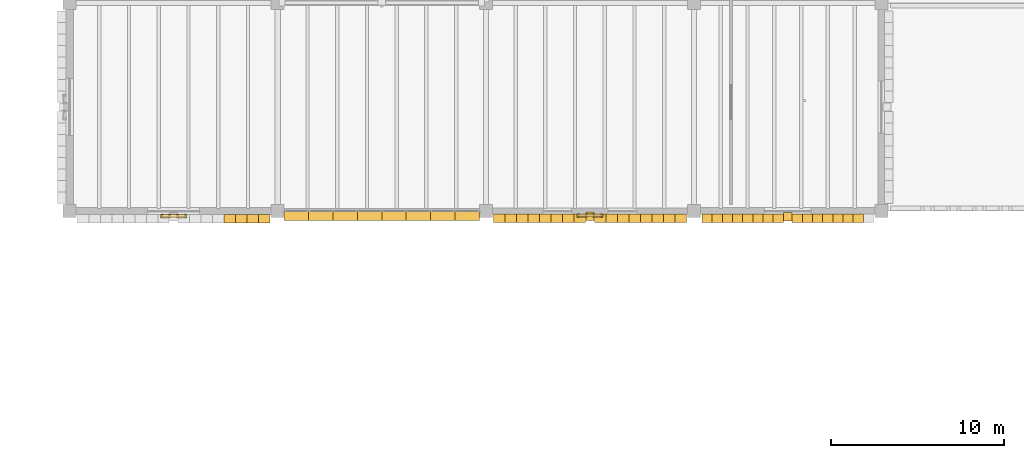
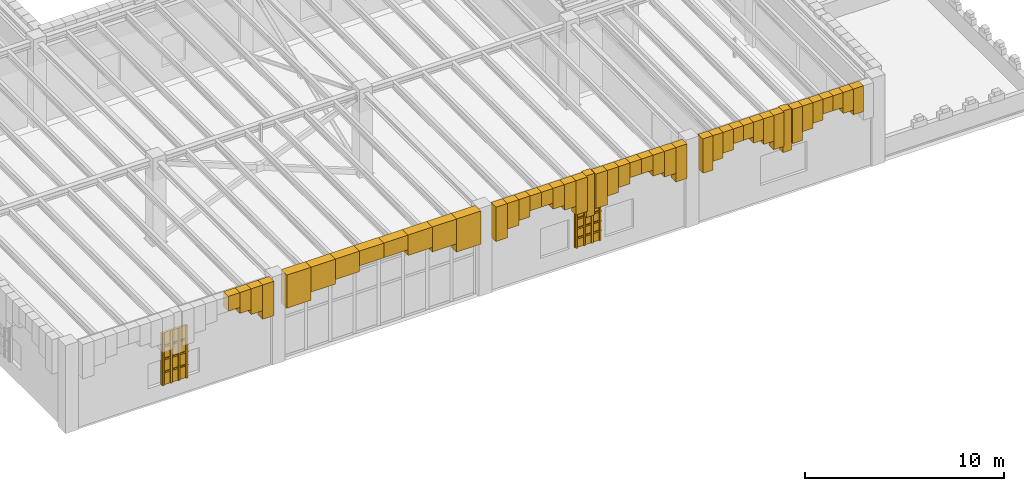
# One storey, part 92 of 103: 59 coverings, 2 shading devices.
"""IFC4 building model written with IfcOpenShell, lengths in metres."""

from ifc_helpers import new_model, si_unit, direction, frame, origin, origin_2d, place, context, subcontext, project, spatial, polyline, rectangle, outline, extrude, material, layer, layer_set, type_object, element, save


model = new_model("IFC4")

# Units and contexts
model_context = context("Model", 3, precision=1e-05, world=origin(), true_north=direction((0.0, 1.0)))
body_context = subcontext(model_context, "Body", "Model", "MODEL_VIEW")
ifc_project = project(units=[si_unit("LENGTHUNIT", "METRE"), si_unit("AREAUNIT", "SQUARE_METRE"), si_unit("VOLUMEUNIT", "CUBIC_METRE"), si_unit("PLANEANGLEUNIT", "RADIAN"), si_unit("MASSUNIT", "GRAM", prefix="KILO")], contexts=[model_context])

# Site, building, storey
site_placement = place(None, origin())
site = spatial("IfcSite", under=ifc_project, at=site_placement, CompositionType="ELEMENT")
building_placement = place(site_placement, origin())
building = spatial("IfcBuilding", under=site, at=building_placement, Name="Zlatogorsky Bluff Art Gallery", CompositionType="ELEMENT")
storey_placement = place(building_placement, origin())
storey = spatial("IfcBuildingStorey", under=building, at=storey_placement, Name="L00", CompositionType="ELEMENT", Elevation=0.0)

# Coverings
ifc_material_1 = material(Name="Honed Red Agra-Tone Quartzitic Sandstone", Category="masonry")
ifc_layer = layer(ifc_material_1, 0.1201171875)
ifc_layer_set = layer_set([ifc_layer], Name="Carved Sandstone Cladding CLD-02")
covering_type = type_object("IfcCoveringType", Name="Carved Sandstone Cladding CLD-02", PredefinedType="CLADDING", material=ifc_layer_set)
covering_1_placement = place(storey_placement, frame((0.0, 0.0, 4.4453125)))
element("IfcCovering", 1, at=covering_1_placement, inside=storey, type_object=covering_type, Name="Pointed Mughal arch voussoir spandrel WARCH-L00-S-10-03-B.5", PredefinedType="CLADDING", context=body_context, shape_type="SweptSolid", body=[
    extrude(outline(polyline([(128.89990234375, 25.719970703125), (129.5625, 25.719970703125), (129.5625, 26.2099609375), (128.89990234375, 26.2099609375), (128.89990234375, 25.719970703125)])), origin(), (0.0, 0.0, 1.0), 0.914794921875),
])
covering_2_placement = place(storey_placement, frame((0.0, 0.0, 4.07666015625)))
element("IfcCovering", 2, at=covering_2_placement, inside=storey, type_object=covering_type, Name="Pointed Mughal arch voussoir spandrel WARCH-L00-S-10-03-B.6", PredefinedType="CLADDING", context=body_context, shape_type="SweptSolid", body=[
    extrude(outline(polyline([(129.5625, 25.719970703125), (130.22509765625, 25.719970703125), (130.22509765625, 26.2099609375), (129.5625, 26.2099609375), (129.5625, 25.719970703125)])), origin(), (0.0, 0.0, 1.0), 1.283447265625),
])
covering_3_placement = place(storey_placement, frame((0.0, 0.0, 3.78369140625)))
element("IfcCovering", 3, at=covering_3_placement, inside=storey, type_object=covering_type, Name="Pointed Mughal arch voussoir spandrel WARCH-L00-S-10-03-B.7", PredefinedType="CLADDING", context=body_context, shape_type="SweptSolid", body=[
    extrude(outline(polyline([(130.22509765625, 25.719970703125), (130.887451171875, 25.719970703125), (130.887451171875, 26.2099609375), (130.22509765625, 26.2099609375), (130.22509765625, 25.719970703125)])), origin(), (0.0, 0.0, 1.0), 1.576416015625),
])
covering_4_placement = place(storey_placement, frame((0.0, 0.0, 3.25244140625)))
element("IfcCovering", 4, at=covering_4_placement, inside=storey, type_object=covering_type, Name="Pointed Mughal arch voussoir spandrel WARCH-L00-S-10-03-B.8", PredefinedType="CLADDING", context=body_context, shape_type="SweptSolid", body=[
    extrude(outline(polyline([(130.887451171875, 25.719970703125), (131.550048828125, 25.719970703125), (131.550048828125, 26.2099609375), (130.887451171875, 26.2099609375), (130.887451171875, 25.719970703125)])), origin(), (0.0, 0.0, 1.0), 2.107666015625),
])
covering_5_placement = place(storey_placement, frame((0.0, 0.0, 0.949951171875)))
element("IfcCovering", 5, at=covering_5_placement, inside=storey, type_object=covering_type, Name="Pierced sandstone jali lattice bar L00.S.10.3", PredefinedType="CLADDING", context=body_context, shape_type="SweptSolid", body=[
    extrude(outline(polyline([(125.280029296875, 26.02001953125), (125.3701171875, 26.02001953125), (125.3701171875, 26.2099609375), (125.280029296875, 26.2099609375), (125.280029296875, 26.02001953125)])), origin(), (0.0, 0.0, 1.0), 3.199951171875),
])
covering_6_placement = place(storey_placement, frame((0.0, 0.0, 0.949951171875)))
element("IfcCovering", 6, at=covering_6_placement, inside=storey, type_object=covering_type, Name="Pierced sandstone jali lattice bar L00.S.10.3", PredefinedType="CLADDING", context=body_context, shape_type="SweptSolid", body=[
    extrude(outline(polyline([(125.72998046875, 26.02001953125), (125.820068359375, 26.02001953125), (125.820068359375, 26.2099609375), (125.72998046875, 26.2099609375), (125.72998046875, 26.02001953125)])), origin(), (0.0, 0.0, 1.0), 3.199951171875),
])
covering_7_placement = place(storey_placement, frame((0.0, 0.0, 0.949951171875)))
element("IfcCovering", 7, at=covering_7_placement, inside=storey, type_object=covering_type, Name="Pierced sandstone jali lattice bar L00.S.10.3", PredefinedType="CLADDING", context=body_context, shape_type="SweptSolid", body=[
    extrude(outline(polyline([(126.179931640625, 26.02001953125), (126.27001953125, 26.02001953125), (126.27001953125, 26.2099609375), (126.179931640625, 26.2099609375), (126.179931640625, 26.02001953125)])), origin(), (0.0, 0.0, 1.0), 3.199951171875),
])
covering_8_placement = place(storey_placement, frame((0.0, 0.0, 0.949951171875)))
element("IfcCovering", 8, at=covering_8_placement, inside=storey, type_object=covering_type, Name="Pierced sandstone jali lattice bar L00.S.10.3", PredefinedType="CLADDING", context=body_context, shape_type="SweptSolid", body=[
    extrude(outline(polyline([(126.6298828125, 26.02001953125), (126.719970703125, 26.02001953125), (126.719970703125, 26.2099609375), (126.6298828125, 26.2099609375), (126.6298828125, 26.02001953125)])), origin(), (0.0, 0.0, 1.0), 3.199951171875),
])
for number, where, name in (
    (9, (0.0, 0.0, 1.7099609375), "Pierced sandstone jali lattice transom L00.S.10.3"),
    (10, (0.0, 0.0, 2.510009765625), "Pierced sandstone jali lattice transom L00.S.10.3"),
):
    element("IfcCovering", number, at=place(storey_placement, frame(where)), inside=storey, type_object=covering_type, Name=name, PredefinedType="CLADDING", context=body_context, shape_type="SweptSolid", body=[
        extrude(outline(polyline([(125.25, 26.02001953125), (126.75, 26.02001953125), (126.75, 26.2099609375), (125.25, 26.2099609375), (125.25, 26.02001953125)])), origin(), (0.0, 0.0, 1.0), 0.080078125),
    ])
covering_9_placement = place(storey_placement, frame((0.0, 0.0, 3.31005859375)))
element("IfcCovering", 11, at=covering_9_placement, inside=storey, type_object=covering_type, Name="Pierced sandstone jali lattice transom L00.S.10.3", PredefinedType="CLADDING", context=body_context, shape_type="SweptSolid", body=[
    extrude(outline(polyline([(125.25, 26.02001953125), (126.75, 26.02001953125), (126.75, 26.2099609375), (125.25, 26.2099609375), (125.25, 26.02001953125)])), origin(), (0.0, 0.0, 1.0), 0.079833984375),
])
covering_10_placement = place(storey_placement, frame((0.0, 0.0, 3.327880859375)))
element("IfcCovering", 12, at=covering_10_placement, inside=storey, type_object=covering_type, Name="Pointed Mughal arch voussoir spandrel ARCH-CW-L00-S-11-03.1", PredefinedType="CLADDING", context=body_context, shape_type="SweptSolid", body=[
    extrude(outline(polyline([(132.3701171875, 25.860107421875), (133.777587890625, 25.860107421875), (133.777587890625, 26.429931640625), (132.3701171875, 26.429931640625), (132.3701171875, 25.860107421875)])), origin(), (0.0, 0.0, 1.0), 2.0322265625),
])
covering_11_placement = place(storey_placement, frame((0.0, 0.0, 3.82958984375)))
element("IfcCovering", 13, at=covering_11_placement, inside=storey, type_object=covering_type, Name="Pointed Mughal arch voussoir spandrel ARCH-CW-L00-S-11-03.2", PredefinedType="CLADDING", context=body_context, shape_type="SweptSolid", body=[
    extrude(outline(polyline([(133.777587890625, 25.860107421875), (135.18505859375, 25.860107421875), (135.18505859375, 26.429931640625), (133.777587890625, 26.429931640625), (133.777587890625, 25.860107421875)])), origin(), (0.0, 0.0, 1.0), 1.530517578125),
])
covering_12_placement = place(storey_placement, frame((0.0, 0.0, 4.1064453125)))
element("IfcCovering", 14, at=covering_12_placement, inside=storey, type_object=covering_type, Name="Pointed Mughal arch voussoir spandrel ARCH-CW-L00-S-11-03.3", PredefinedType="CLADDING", context=body_context, shape_type="SweptSolid", body=[
    extrude(outline(polyline([(135.18505859375, 25.860107421875), (136.592529296875, 25.860107421875), (136.592529296875, 26.429931640625), (135.18505859375, 26.429931640625), (135.18505859375, 25.860107421875)])), origin(), (0.0, 0.0, 1.0), 1.253662109375),
])
covering_13_placement = place(storey_placement, frame((0.0, 0.0, 4.45458984375)))
element("IfcCovering", 15, at=covering_13_placement, inside=storey, type_object=covering_type, Name="Pointed Mughal arch voussoir spandrel ARCH-CW-L00-S-11-03.4", PredefinedType="CLADDING", context=body_context, shape_type="SweptSolid", body=[
    extrude(outline(polyline([(136.592529296875, 25.860107421875), (138.0, 25.860107421875), (138.0, 26.429931640625), (136.592529296875, 26.429931640625), (136.592529296875, 25.860107421875)])), origin(), (0.0, 0.0, 1.0), 0.905517578125),
])
covering_14_placement = place(storey_placement, frame((0.0, 0.0, 4.45458984375)))
element("IfcCovering", 16, at=covering_14_placement, inside=storey, type_object=covering_type, Name="Pointed Mughal arch voussoir spandrel ARCH-CW-L00-S-11-03.5", PredefinedType="CLADDING", context=body_context, shape_type="SweptSolid", body=[
    extrude(outline(polyline([(138.0, 25.860107421875), (139.407470703125, 25.860107421875), (139.407470703125, 26.429931640625), (138.0, 26.429931640625), (138.0, 25.860107421875)])), origin(), (0.0, 0.0, 1.0), 0.905517578125),
])
covering_15_placement = place(storey_placement, frame((0.0, 0.0, 4.1064453125)))
element("IfcCovering", 17, at=covering_15_placement, inside=storey, type_object=covering_type, Name="Pointed Mughal arch voussoir spandrel ARCH-CW-L00-S-11-03.6", PredefinedType="CLADDING", context=body_context, shape_type="SweptSolid", body=[
    extrude(outline(polyline([(139.407470703125, 25.860107421875), (140.81494140625, 25.860107421875), (140.81494140625, 26.429931640625), (139.407470703125, 26.429931640625), (139.407470703125, 25.860107421875)])), origin(), (0.0, 0.0, 1.0), 1.253662109375),
])
covering_16_placement = place(storey_placement, frame((0.0, 0.0, 3.82958984375)))
element("IfcCovering", 18, at=covering_16_placement, inside=storey, type_object=covering_type, Name="Pointed Mughal arch voussoir spandrel ARCH-CW-L00-S-11-03.7", PredefinedType="CLADDING", context=body_context, shape_type="SweptSolid", body=[
    extrude(outline(polyline([(140.81494140625, 25.860107421875), (142.222412109375, 25.860107421875), (142.222412109375, 26.429931640625), (140.81494140625, 26.429931640625), (140.81494140625, 25.860107421875)])), origin(), (0.0, 0.0, 1.0), 1.530517578125),
])
covering_17_placement = place(storey_placement, frame((0.0, 0.0, 3.327880859375)))
element("IfcCovering", 19, at=covering_17_placement, inside=storey, type_object=covering_type, Name="Pointed Mughal arch voussoir spandrel ARCH-CW-L00-S-11-03.8", PredefinedType="CLADDING", context=body_context, shape_type="SweptSolid", body=[
    extrude(outline(polyline([(142.222412109375, 25.860107421875), (143.6298828125, 25.860107421875), (143.6298828125, 26.429931640625), (142.222412109375, 26.429931640625), (142.222412109375, 25.860107421875)])), origin(), (0.0, 0.0, 1.0), 2.0322265625),
])
covering_18_placement = place(storey_placement, frame((0.0, 0.0, 2.81005859375)))
element("IfcCovering", 20, at=covering_18_placement, inside=storey, type_object=covering_type, Name="Mughal blind-arch sandstone pilaster L00.S.12.3", PredefinedType="CLADDING", context=body_context, shape_type="SweptSolid", body=[
    extrude(outline(polyline([(149.760009765625, 25.860107421875), (150.239990234375, 25.860107421875), (150.239990234375, 26.340087890625), (149.760009765625, 26.340087890625), (149.760009765625, 25.860107421875)])), origin(), (0.0, 0.0, 1.0), 2.550048828125),
])
covering_19_placement = place(storey_placement, frame((0.0, 0.0, 3.25244140625)))
element("IfcCovering", 21, at=covering_19_placement, inside=storey, type_object=covering_type, Name="Pointed Mughal arch voussoir spandrel WARCH-L00-S-12-03-A.1", PredefinedType="CLADDING", context=body_context, shape_type="SweptSolid", body=[
    extrude(outline(polyline([(144.449951171875, 25.760009765625), (145.112548828125, 25.760009765625), (145.112548828125, 26.25), (144.449951171875, 26.25), (144.449951171875, 25.760009765625)])), origin(), (0.0, 0.0, 1.0), 2.107666015625),
])
covering_20_placement = place(storey_placement, frame((0.0, 0.0, 3.78369140625)))
element("IfcCovering", 22, at=covering_20_placement, inside=storey, type_object=covering_type, Name="Pointed Mughal arch voussoir spandrel WARCH-L00-S-12-03-A.2", PredefinedType="CLADDING", context=body_context, shape_type="SweptSolid", body=[
    extrude(outline(polyline([(145.112548828125, 25.760009765625), (145.77490234375, 25.760009765625), (145.77490234375, 26.25), (145.112548828125, 26.25), (145.112548828125, 25.760009765625)])), origin(), (0.0, 0.0, 1.0), 1.576416015625),
])
covering_21_placement = place(storey_placement, frame((0.0, 0.0, 4.07666015625)))
element("IfcCovering", 23, at=covering_21_placement, inside=storey, type_object=covering_type, Name="Pointed Mughal arch voussoir spandrel WARCH-L00-S-12-03-A.3", PredefinedType="CLADDING", context=body_context, shape_type="SweptSolid", body=[
    extrude(outline(polyline([(145.77490234375, 25.760009765625), (146.4375, 25.760009765625), (146.4375, 26.25), (145.77490234375, 26.25), (145.77490234375, 25.760009765625)])), origin(), (0.0, 0.0, 1.0), 1.283447265625),
])
covering_22_placement = place(storey_placement, frame((0.0, 0.0, 4.4453125)))
element("IfcCovering", 24, at=covering_22_placement, inside=storey, type_object=covering_type, Name="Pointed Mughal arch voussoir spandrel WARCH-L00-S-12-03-A.4", PredefinedType="CLADDING", context=body_context, shape_type="SweptSolid", body=[
    extrude(outline(polyline([(146.4375, 25.760009765625), (147.10009765625, 25.760009765625), (147.10009765625, 26.25), (146.4375, 26.25), (146.4375, 25.760009765625)])), origin(), (0.0, 0.0, 1.0), 0.914794921875),
])
covering_23_placement = place(storey_placement, frame((0.0, 0.0, 4.4453125)))
element("IfcCovering", 25, at=covering_23_placement, inside=storey, type_object=covering_type, Name="Pointed Mughal arch voussoir spandrel WARCH-L00-S-12-03-A.5", PredefinedType="CLADDING", context=body_context, shape_type="SweptSolid", body=[
    extrude(outline(polyline([(147.10009765625, 25.760009765625), (147.762451171875, 25.760009765625), (147.762451171875, 26.25), (147.10009765625, 26.25), (147.10009765625, 25.760009765625)])), origin(), (0.0, 0.0, 1.0), 0.914794921875),
])
covering_24_placement = place(storey_placement, frame((0.0, 0.0, 4.07666015625)))
element("IfcCovering", 26, at=covering_24_placement, inside=storey, type_object=covering_type, Name="Pointed Mughal arch voussoir spandrel WARCH-L00-S-12-03-A.6", PredefinedType="CLADDING", context=body_context, shape_type="SweptSolid", body=[
    extrude(outline(polyline([(147.762451171875, 25.760009765625), (148.425048828125, 25.760009765625), (148.425048828125, 26.25), (147.762451171875, 26.25), (147.762451171875, 25.760009765625)])), origin(), (0.0, 0.0, 1.0), 1.283447265625),
])
covering_25_placement = place(storey_placement, frame((0.0, 0.0, 3.78369140625)))
element("IfcCovering", 27, at=covering_25_placement, inside=storey, type_object=covering_type, Name="Pointed Mughal arch voussoir spandrel WARCH-L00-S-12-03-A.7", PredefinedType="CLADDING", context=body_context, shape_type="SweptSolid", body=[
    extrude(outline(polyline([(148.425048828125, 25.760009765625), (149.08740234375, 25.760009765625), (149.08740234375, 26.25), (148.425048828125, 26.25), (148.425048828125, 25.760009765625)])), origin(), (0.0, 0.0, 1.0), 1.576416015625),
])
covering_26_placement = place(storey_placement, frame((0.0, 0.0, 3.25244140625)))
element("IfcCovering", 28, at=covering_26_placement, inside=storey, type_object=covering_type, Name="Pointed Mughal arch voussoir spandrel WARCH-L00-S-12-03-A.8", PredefinedType="CLADDING", context=body_context, shape_type="SweptSolid", body=[
    extrude(outline(polyline([(149.08740234375, 25.760009765625), (149.75, 25.760009765625), (149.75, 26.25), (149.08740234375, 26.25), (149.08740234375, 25.760009765625)])), origin(), (0.0, 0.0, 1.0), 2.107666015625),
])
covering_27_placement = place(storey_placement, frame((0.0, 0.0, 3.25244140625)))
element("IfcCovering", 29, at=covering_27_placement, inside=storey, type_object=covering_type, Name="Pointed Mughal arch voussoir spandrel WARCH-L00-S-12-03-B.1", PredefinedType="CLADDING", context=body_context, shape_type="SweptSolid", body=[
    extrude(outline(polyline([(150.25, 25.760009765625), (150.91259765625, 25.760009765625), (150.91259765625, 26.25), (150.25, 26.25), (150.25, 25.760009765625)])), origin(), (0.0, 0.0, 1.0), 2.107666015625),
])
covering_28_placement = place(storey_placement, frame((0.0, 0.0, 3.78369140625)))
element("IfcCovering", 30, at=covering_28_placement, inside=storey, type_object=covering_type, Name="Pointed Mughal arch voussoir spandrel WARCH-L00-S-12-03-B.2", PredefinedType="CLADDING", context=body_context, shape_type="SweptSolid", body=[
    extrude(outline(polyline([(150.91259765625, 25.760009765625), (151.574951171875, 25.760009765625), (151.574951171875, 26.25), (150.91259765625, 26.25), (150.91259765625, 25.760009765625)])), origin(), (0.0, 0.0, 1.0), 1.576416015625),
])
covering_29_placement = place(storey_placement, frame((0.0, 0.0, 4.07666015625)))
element("IfcCovering", 31, at=covering_29_placement, inside=storey, type_object=covering_type, Name="Pointed Mughal arch voussoir spandrel WARCH-L00-S-12-03-B.3", PredefinedType="CLADDING", context=body_context, shape_type="SweptSolid", body=[
    extrude(outline(polyline([(151.574951171875, 25.760009765625), (152.237548828125, 25.760009765625), (152.237548828125, 26.25), (151.574951171875, 26.25), (151.574951171875, 25.760009765625)])), origin(), (0.0, 0.0, 1.0), 1.283447265625),
])
covering_30_placement = place(storey_placement, frame((0.0, 0.0, 4.4453125)))
element("IfcCovering", 32, at=covering_30_placement, inside=storey, type_object=covering_type, Name="Pointed Mughal arch voussoir spandrel WARCH-L00-S-12-03-B.4", PredefinedType="CLADDING", context=body_context, shape_type="SweptSolid", body=[
    extrude(outline(polyline([(152.237548828125, 25.760009765625), (152.89990234375, 25.760009765625), (152.89990234375, 26.25), (152.237548828125, 26.25), (152.237548828125, 25.760009765625)])), origin(), (0.0, 0.0, 1.0), 0.914794921875),
])
covering_31_placement = place(storey_placement, frame((0.0, 0.0, 4.4453125)))
element("IfcCovering", 33, at=covering_31_placement, inside=storey, type_object=covering_type, Name="Pointed Mughal arch voussoir spandrel WARCH-L00-S-12-03-B.5", PredefinedType="CLADDING", context=body_context, shape_type="SweptSolid", body=[
    extrude(outline(polyline([(152.89990234375, 25.760009765625), (153.5625, 25.760009765625), (153.5625, 26.25), (152.89990234375, 26.25), (152.89990234375, 25.760009765625)])), origin(), (0.0, 0.0, 1.0), 0.914794921875),
])
covering_32_placement = place(storey_placement, frame((0.0, 0.0, 4.07666015625)))
element("IfcCovering", 34, at=covering_32_placement, inside=storey, type_object=covering_type, Name="Pointed Mughal arch voussoir spandrel WARCH-L00-S-12-03-B.6", PredefinedType="CLADDING", context=body_context, shape_type="SweptSolid", body=[
    extrude(outline(polyline([(153.5625, 25.760009765625), (154.22509765625, 25.760009765625), (154.22509765625, 26.25), (153.5625, 26.25), (153.5625, 25.760009765625)])), origin(), (0.0, 0.0, 1.0), 1.283447265625),
])
covering_33_placement = place(storey_placement, frame((0.0, 0.0, 3.78369140625)))
element("IfcCovering", 35, at=covering_33_placement, inside=storey, type_object=covering_type, Name="Pointed Mughal arch voussoir spandrel WARCH-L00-S-12-03-B.7", PredefinedType="CLADDING", context=body_context, shape_type="SweptSolid", body=[
    extrude(outline(polyline([(154.22509765625, 25.760009765625), (154.887451171875, 25.760009765625), (154.887451171875, 26.25), (154.22509765625, 26.25), (154.22509765625, 25.760009765625)])), origin(), (0.0, 0.0, 1.0), 1.576416015625),
])
covering_34_placement = place(storey_placement, frame((0.0, 0.0, 3.25244140625)))
element("IfcCovering", 36, at=covering_34_placement, inside=storey, type_object=covering_type, Name="Pointed Mughal arch voussoir spandrel WARCH-L00-S-12-03-B.8", PredefinedType="CLADDING", context=body_context, shape_type="SweptSolid", body=[
    extrude(outline(polyline([(154.887451171875, 25.760009765625), (155.550048828125, 25.760009765625), (155.550048828125, 26.25), (154.887451171875, 26.25), (154.887451171875, 25.760009765625)])), origin(), (0.0, 0.0, 1.0), 2.107666015625),
])
covering_35_placement = place(storey_placement, frame((0.0, 0.0, 0.949951171875)))
element("IfcCovering", 37, at=covering_35_placement, inside=storey, type_object=covering_type, Name="Pierced sandstone jali lattice bar L00.S.12.3", PredefinedType="CLADDING", context=body_context, shape_type="SweptSolid", body=[
    extrude(outline(polyline([(149.280029296875, 26.06005859375), (149.3701171875, 26.06005859375), (149.3701171875, 26.25), (149.280029296875, 26.25), (149.280029296875, 26.06005859375)])), origin(), (0.0, 0.0, 1.0), 2.400146484375),
])
covering_36_placement = place(storey_placement, frame((0.0, 0.0, 0.949951171875)))
element("IfcCovering", 38, at=covering_36_placement, inside=storey, type_object=covering_type, Name="Pierced sandstone jali lattice bar L00.S.12.3", PredefinedType="CLADDING", context=body_context, shape_type="SweptSolid", body=[
    extrude(outline(polyline([(149.72998046875, 26.06005859375), (149.820068359375, 26.06005859375), (149.820068359375, 26.25), (149.72998046875, 26.25), (149.72998046875, 26.06005859375)])), origin(), (0.0, 0.0, 1.0), 2.400146484375),
])
covering_37_placement = place(storey_placement, frame((0.0, 0.0, 0.949951171875)))
element("IfcCovering", 39, at=covering_37_placement, inside=storey, type_object=covering_type, Name="Pierced sandstone jali lattice bar L00.S.12.3", PredefinedType="CLADDING", context=body_context, shape_type="SweptSolid", body=[
    extrude(outline(polyline([(150.179931640625, 26.06005859375), (150.27001953125, 26.06005859375), (150.27001953125, 26.25), (150.179931640625, 26.25), (150.179931640625, 26.06005859375)])), origin(), (0.0, 0.0, 1.0), 2.400146484375),
])
covering_38_placement = place(storey_placement, frame((0.0, 0.0, 0.949951171875)))
element("IfcCovering", 40, at=covering_38_placement, inside=storey, type_object=covering_type, Name="Pierced sandstone jali lattice bar L00.S.12.3", PredefinedType="CLADDING", context=body_context, shape_type="SweptSolid", body=[
    extrude(outline(polyline([(150.6298828125, 26.06005859375), (150.719970703125, 26.06005859375), (150.719970703125, 26.25), (150.6298828125, 26.25), (150.6298828125, 26.06005859375)])), origin(), (0.0, 0.0, 1.0), 2.400146484375),
])
covering_39_placement = place(storey_placement, frame((0.0, 0.0, 1.510009765625)))
element("IfcCovering", 41, at=covering_39_placement, inside=storey, type_object=covering_type, Name="Pierced sandstone jali lattice transom L00.S.12.3", PredefinedType="CLADDING", context=body_context, shape_type="SweptSolid", body=[
    extrude(outline(polyline([(149.25, 26.06005859375), (150.75, 26.06005859375), (150.75, 26.25), (149.25, 26.25), (149.25, 26.06005859375)])), origin(), (0.0, 0.0, 1.0), 0.080078125),
])
covering_40_placement = place(storey_placement, frame((0.0, 0.0, 2.110107421875)))
element("IfcCovering", 42, at=covering_40_placement, inside=storey, type_object=covering_type, Name="Pierced sandstone jali lattice transom L00.S.12.3", PredefinedType="CLADDING", context=body_context, shape_type="SweptSolid", body=[
    extrude(outline(polyline([(149.25, 26.06005859375), (150.75, 26.06005859375), (150.75, 26.25), (149.25, 26.25), (149.25, 26.06005859375)])), origin(), (0.0, 0.0, 1.0), 0.079833984375),
])
covering_41_placement = place(storey_placement, frame((0.0, 0.0, 2.7099609375)))
element("IfcCovering", 43, at=covering_41_placement, inside=storey, type_object=covering_type, Name="Pierced sandstone jali lattice transom L00.S.12.3", PredefinedType="CLADDING", context=body_context, shape_type="SweptSolid", body=[
    extrude(outline(polyline([(149.25, 26.06005859375), (150.75, 26.06005859375), (150.75, 26.25), (149.25, 26.25), (149.25, 26.06005859375)])), origin(), (0.0, 0.0, 1.0), 0.080078125),
])
covering_42_placement = place(storey_placement, frame((0.0, 0.0, 2.81005859375)))
element("IfcCovering", 44, at=covering_42_placement, inside=storey, type_object=covering_type, Name="Mughal blind-arch sandstone pilaster L00.S.13.3", PredefinedType="CLADDING", context=body_context, shape_type="SweptSolid", body=[
    extrude(outline(polyline([(161.159912109375, 25.840087890625), (161.639892578125, 25.840087890625), (161.639892578125, 26.320068359375), (161.159912109375, 26.320068359375), (161.159912109375, 25.840087890625)])), origin(), (0.0, 0.0, 1.0), 2.550048828125),
])
covering_43_placement = place(storey_placement, frame((0.0, 0.0, 3.25244140625)))
element("IfcCovering", 45, at=covering_43_placement, inside=storey, type_object=covering_type, Name="Pointed Mughal arch voussoir spandrel WARCH-L00-S-13-03-A.1", PredefinedType="CLADDING", context=body_context, shape_type="SweptSolid", body=[
    extrude(outline(polyline([(156.449951171875, 25.739990234375), (157.03759765625, 25.739990234375), (157.03759765625, 26.22998046875), (156.449951171875, 26.22998046875), (156.449951171875, 25.739990234375)])), origin(), (0.0, 0.0, 1.0), 2.107666015625),
])
covering_44_placement = place(storey_placement, frame((0.0, 0.0, 3.78369140625)))
element("IfcCovering", 46, at=covering_44_placement, inside=storey, type_object=covering_type, Name="Pointed Mughal arch voussoir spandrel WARCH-L00-S-13-03-A.2", PredefinedType="CLADDING", context=body_context, shape_type="SweptSolid", body=[
    extrude(outline(polyline([(157.03759765625, 25.739990234375), (157.625, 25.739990234375), (157.625, 26.22998046875), (157.03759765625, 26.22998046875), (157.03759765625, 25.739990234375)])), origin(), (0.0, 0.0, 1.0), 1.576416015625),
])
covering_45_placement = place(storey_placement, frame((0.0, 0.0, 4.07666015625)))
element("IfcCovering", 47, at=covering_45_placement, inside=storey, type_object=covering_type, Name="Pointed Mughal arch voussoir spandrel WARCH-L00-S-13-03-A.3", PredefinedType="CLADDING", context=body_context, shape_type="SweptSolid", body=[
    extrude(outline(polyline([(157.625, 25.739990234375), (158.21240234375, 25.739990234375), (158.21240234375, 26.22998046875), (157.625, 26.22998046875), (157.625, 25.739990234375)])), origin(), (0.0, 0.0, 1.0), 1.283447265625),
])
covering_46_placement = place(storey_placement, frame((0.0, 0.0, 4.4453125)))
element("IfcCovering", 48, at=covering_46_placement, inside=storey, type_object=covering_type, Name="Pointed Mughal arch voussoir spandrel WARCH-L00-S-13-03-A.4", PredefinedType="CLADDING", context=body_context, shape_type="SweptSolid", body=[
    extrude(outline(polyline([(158.21240234375, 25.739990234375), (158.800048828125, 25.739990234375), (158.800048828125, 26.22998046875), (158.21240234375, 26.22998046875), (158.21240234375, 25.739990234375)])), origin(), (0.0, 0.0, 1.0), 0.914794921875),
])
covering_47_placement = place(storey_placement, frame((0.0, 0.0, 4.4453125)))
element("IfcCovering", 49, at=covering_47_placement, inside=storey, type_object=covering_type, Name="Pointed Mughal arch voussoir spandrel WARCH-L00-S-13-03-A.5", PredefinedType="CLADDING", context=body_context, shape_type="SweptSolid", body=[
    extrude(outline(polyline([(158.800048828125, 25.739990234375), (159.387451171875, 25.739990234375), (159.387451171875, 26.22998046875), (158.800048828125, 26.22998046875), (158.800048828125, 25.739990234375)])), origin(), (0.0, 0.0, 1.0), 0.914794921875),
])
covering_48_placement = place(storey_placement, frame((0.0, 0.0, 4.07666015625)))
element("IfcCovering", 50, at=covering_48_placement, inside=storey, type_object=covering_type, Name="Pointed Mughal arch voussoir spandrel WARCH-L00-S-13-03-A.6", PredefinedType="CLADDING", context=body_context, shape_type="SweptSolid", body=[
    extrude(outline(polyline([(159.387451171875, 25.739990234375), (159.97509765625, 25.739990234375), (159.97509765625, 26.22998046875), (159.387451171875, 26.22998046875), (159.387451171875, 25.739990234375)])), origin(), (0.0, 0.0, 1.0), 1.283447265625),
])
covering_49_placement = place(storey_placement, frame((0.0, 0.0, 3.78369140625)))
element("IfcCovering", 51, at=covering_49_placement, inside=storey, type_object=covering_type, Name="Pointed Mughal arch voussoir spandrel WARCH-L00-S-13-03-A.7", PredefinedType="CLADDING", context=body_context, shape_type="SweptSolid", body=[
    extrude(outline(polyline([(159.97509765625, 25.739990234375), (160.5625, 25.739990234375), (160.5625, 26.22998046875), (159.97509765625, 26.22998046875), (159.97509765625, 25.739990234375)])), origin(), (0.0, 0.0, 1.0), 1.576416015625),
])
covering_50_placement = place(storey_placement, frame((0.0, 0.0, 3.25244140625)))
element("IfcCovering", 52, at=covering_50_placement, inside=storey, type_object=covering_type, Name="Pointed Mughal arch voussoir spandrel WARCH-L00-S-13-03-A.8", PredefinedType="CLADDING", context=body_context, shape_type="SweptSolid", body=[
    extrude(outline(polyline([(160.5625, 25.739990234375), (161.14990234375, 25.739990234375), (161.14990234375, 26.22998046875), (160.5625, 26.22998046875), (160.5625, 25.739990234375)])), origin(), (0.0, 0.0, 1.0), 2.107666015625),
])
covering_51_placement = place(storey_placement, frame((0.0, 0.0, 3.25244140625)))
element("IfcCovering", 53, at=covering_51_placement, inside=storey, type_object=covering_type, Name="Pointed Mughal arch voussoir spandrel WARCH-L00-S-13-03-B.1", PredefinedType="CLADDING", context=body_context, shape_type="SweptSolid", body=[
    extrude(outline(polyline([(161.64990234375, 25.739990234375), (162.237548828125, 25.739990234375), (162.237548828125, 26.22998046875), (161.64990234375, 26.22998046875), (161.64990234375, 25.739990234375)])), origin(), (0.0, 0.0, 1.0), 2.107666015625),
])
covering_52_placement = place(storey_placement, frame((0.0, 0.0, 3.78369140625)))
element("IfcCovering", 54, at=covering_52_placement, inside=storey, type_object=covering_type, Name="Pointed Mughal arch voussoir spandrel WARCH-L00-S-13-03-B.2", PredefinedType="CLADDING", context=body_context, shape_type="SweptSolid", body=[
    extrude(outline(polyline([(162.237548828125, 25.739990234375), (162.824951171875, 25.739990234375), (162.824951171875, 26.22998046875), (162.237548828125, 26.22998046875), (162.237548828125, 25.739990234375)])), origin(), (0.0, 0.0, 1.0), 1.576416015625),
])
covering_53_placement = place(storey_placement, frame((0.0, 0.0, 4.07666015625)))
element("IfcCovering", 55, at=covering_53_placement, inside=storey, type_object=covering_type, Name="Pointed Mughal arch voussoir spandrel WARCH-L00-S-13-03-B.3", PredefinedType="CLADDING", context=body_context, shape_type="SweptSolid", body=[
    extrude(outline(polyline([(162.824951171875, 25.739990234375), (163.41259765625, 25.739990234375), (163.41259765625, 26.22998046875), (162.824951171875, 26.22998046875), (162.824951171875, 25.739990234375)])), origin(), (0.0, 0.0, 1.0), 1.283447265625),
])
covering_54_placement = place(storey_placement, frame((0.0, 0.0, 4.4453125)))
element("IfcCovering", 56, at=covering_54_placement, inside=storey, type_object=covering_type, Name="Pointed Mughal arch voussoir spandrel WARCH-L00-S-13-03-B.4", PredefinedType="CLADDING", context=body_context, shape_type="SweptSolid", body=[
    extrude(outline(polyline([(163.41259765625, 25.739990234375), (164.0, 25.739990234375), (164.0, 26.22998046875), (163.41259765625, 26.22998046875), (163.41259765625, 25.739990234375)])), origin(), (0.0, 0.0, 1.0), 0.914794921875),
])
covering_55_placement = place(storey_placement, frame((0.0, 0.0, 4.4453125)))
element("IfcCovering", 57, at=covering_55_placement, inside=storey, type_object=covering_type, Name="Pointed Mughal arch voussoir spandrel WARCH-L00-S-13-03-B.5", PredefinedType="CLADDING", context=body_context, shape_type="SweptSolid", body=[
    extrude(outline(polyline([(164.0, 25.739990234375), (164.58740234375, 25.739990234375), (164.58740234375, 26.22998046875), (164.0, 26.22998046875), (164.0, 25.739990234375)])), origin(), (0.0, 0.0, 1.0), 0.914794921875),
])
covering_56_placement = place(storey_placement, frame((0.0, 0.0, 4.07666015625)))
element("IfcCovering", 58, at=covering_56_placement, inside=storey, type_object=covering_type, Name="Pointed Mughal arch voussoir spandrel WARCH-L00-S-13-03-B.6", PredefinedType="CLADDING", context=body_context, shape_type="SweptSolid", body=[
    extrude(outline(polyline([(164.58740234375, 25.739990234375), (165.175048828125, 25.739990234375), (165.175048828125, 26.22998046875), (164.58740234375, 26.22998046875), (164.58740234375, 25.739990234375)])), origin(), (0.0, 0.0, 1.0), 1.283447265625),
])
covering_57_placement = place(storey_placement, frame((0.0, 0.0, 3.78369140625)))
element("IfcCovering", 59, at=covering_57_placement, inside=storey, type_object=covering_type, Name="Pointed Mughal arch voussoir spandrel WARCH-L00-S-13-03-B.7", PredefinedType="CLADDING", context=body_context, shape_type="SweptSolid", body=[
    extrude(outline(polyline([(165.175048828125, 25.739990234375), (165.762451171875, 25.739990234375), (165.762451171875, 26.22998046875), (165.175048828125, 26.22998046875), (165.175048828125, 25.739990234375)])), origin(), (0.0, 0.0, 1.0), 1.576416015625),
])

# Shading devices
ifc_material_2 = material(Name="CNC-Pierced Red Quartzitic Sandstone Jali", Category="masonry")
shading_device_type_1 = type_object("IfcShadingDeviceType", Name="Pierced Stone Jali Screen JAL-01", PredefinedType="JALOUSIE", material=ifc_material_2)
shading_device_1_placement = place(storey_placement, frame((150.0, 26.179931640625, 0.949951171875), z_axis=(0.0, 0.0, 1.0), x_axis=(1.0, 0.0, 0.0)))
element("IfcShadingDevice", 60, at=shading_device_1_placement, inside=storey, type_object=shading_device_type_1, Name="Pierced stone jali screen JAL-01", PredefinedType="JALOUSIE", context=body_context, shape_type="SweptSolid", body=[
    extrude(rectangle(XDim=1.5, YDim=0.1201171875, at=origin_2d()), origin(), (0.0, 0.0, 1.0), 2.39990234375),
])
shading_device_type_2 = type_object("IfcShadingDeviceType", Name="Pierced Stone Jali Screen JAL-04", PredefinedType="JALOUSIE", material=ifc_material_2)
shading_device_2_placement = place(storey_placement, frame((126.0, 26.139892578125, 0.9501953125), z_axis=(0.0, 0.0, 1.0), x_axis=(1.0, 0.0, 0.0)))
element("IfcShadingDevice", 61, at=shading_device_2_placement, inside=storey, type_object=shading_device_type_2, Name="Pierced stone jali screen JAL-04", PredefinedType="JALOUSIE", context=body_context, shape_type="SweptSolid", body=[
    extrude(rectangle(XDim=1.5, YDim=0.1201171875, at=origin_2d()), origin(), (0.0, 0.0, 1.0), 3.199951171875),
])

save(model, "model.ifc")
